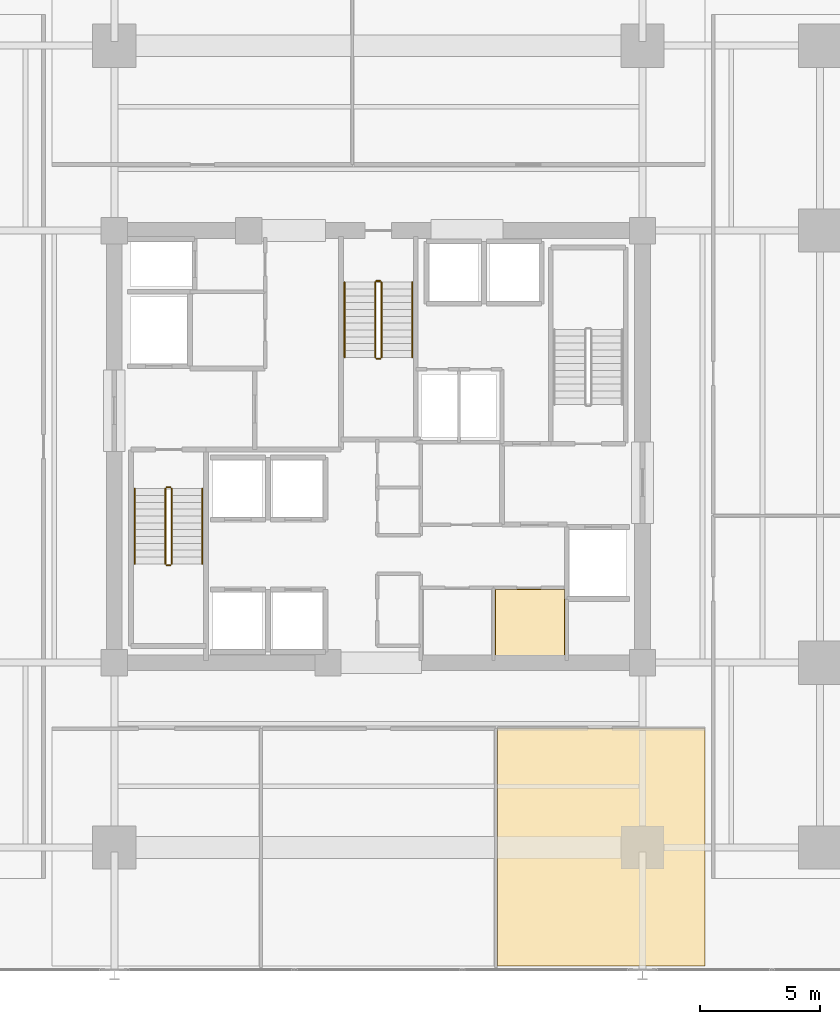
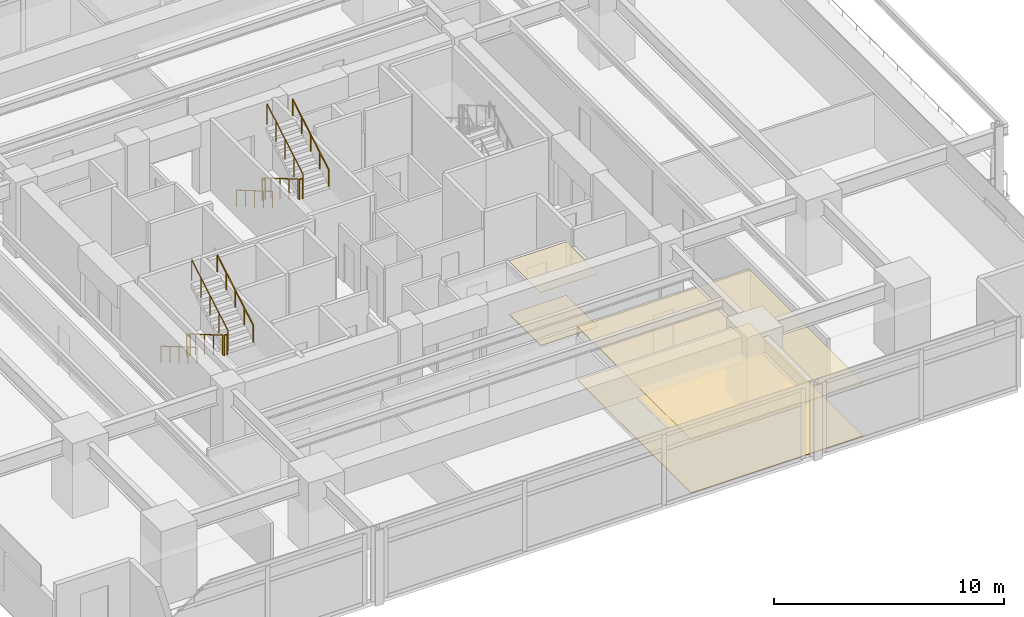
# One storey, part 18 of 20: 12 railings, 4 coverings.
"""IFC4 building model written with IfcOpenShell, lengths in metres."""

from ifc_helpers import new_model, si_unit, direction, frame, origin, origin_2d, place, context, subcontext, project, spatial, polyline, circle, outline, extrude, material, layer, layer_set, type_object, element, save


model = new_model("IFC4")

# Units and contexts
model_context = context("Model", 3, precision=1e-05, world=origin(), true_north=direction((0.0, 1.0)))
body_context = subcontext(model_context, "Body", "Model", "MODEL_VIEW")
ifc_project = project(units=[si_unit("LENGTHUNIT", "METRE"), si_unit("AREAUNIT", "SQUARE_METRE"), si_unit("VOLUMEUNIT", "CUBIC_METRE"), si_unit("PLANEANGLEUNIT", "RADIAN"), si_unit("MASSUNIT", "GRAM", prefix="KILO")], contexts=[model_context])

# Site, building, storey
site_placement = place(None, origin())
site = spatial("IfcSite", under=ifc_project, at=site_placement, CompositionType="ELEMENT")
building_placement = place(site_placement, origin())
building = spatial("IfcBuilding", under=site, at=building_placement, Name="Kovane Verandah Tower", CompositionType="ELEMENT")
storey_placement = place(building_placement, frame((0.0, 0.0, 35.60009765625)))
storey = spatial("IfcBuildingStorey", under=building, at=storey_placement, Name="L07", CompositionType="ELEMENT", Elevation=35.60009765625)

# Coverings
ifc_material_1 = material(Name="Perforated Acoustic Mineral-Fibre Ceiling Tile", Category="gypsum")
ifc_layer_1 = layer(ifc_material_1, 0.02490234375)
ifc_layer_set_1 = layer_set([ifc_layer_1], Name="Perforated Acoustic Mineral-Fibre Ceiling Tile")
covering_type_1 = type_object("IfcCoveringType", Name="CV-CEIL-25", PredefinedType="CEILING", material=ifc_layer_set_1)
covering_1_placement = place(storey_placement, frame((0.0, 0.0, 2.824951171875)))
element("IfcCovering", 1, at=covering_1_placement, inside=storey, type_object=covering_type_1, Name="L07 East IT Server Room Acoustic Ceiling", PredefinedType="CEILING", context=body_context, shape_type="SweptSolid", body=[
    extrude(outline(polyline([(44.864990234375, 18.784912109375), (47.764892578125, 18.784912109375), (47.764892578125, 21.56494140625), (44.864990234375, 21.56494140625), (44.864990234375, 18.784912109375)])), origin(), (0.0, 0.0, 1.0), 0.02490234375),
])
covering_2_placement = place(storey_placement, frame((0.0, 0.0, 2.824951171875)))
element("IfcCovering", 2, at=covering_2_placement, inside=storey, type_object=covering_type_1, Name="L07 Focus Studio S3 Acoustic Ceiling", PredefinedType="CEILING", context=body_context, shape_type="SweptSolid", body=[
    extrude(outline(polyline([(44.966064453125, 5.860595703125), (53.60009765625, 5.860595703125), (53.60009765625, 15.75), (44.966064453125, 15.75), (44.966064453125, 5.860595703125)])), origin(), (0.0, 0.0, 1.0), 0.02490234375),
])
ifc_material_2 = material(Name="Polished Terrazzo and Raised-Access Carpet Tile Finish", Category="concrete")
ifc_layer_2 = layer(ifc_material_2, 0.030029296875)
ifc_layer_set_2 = layer_set([ifc_layer_2], Name="Polished Terrazzo and Raised-Access Carpet Tile Finish")
covering_type_2 = type_object("IfcCoveringType", Name="CV-FLOR-30", PredefinedType="FLOORING", material=ifc_layer_set_2)
covering_3_placement = place(storey_placement, origin())
element("IfcCovering", 3, at=covering_3_placement, inside=storey, type_object=covering_type_2, Name="L07 East IT Server Room Floor Finish", PredefinedType="FLOORING", context=body_context, shape_type="SweptSolid", body=[
    extrude(outline(polyline([(44.8798828125, 18.800048828125), (47.75, 18.800048828125), (47.75, 21.550048828125), (44.8798828125, 21.550048828125), (44.8798828125, 18.800048828125)])), origin(), (0.0, 0.0, 1.0), 0.02978515625),
])
covering_4_placement = place(storey_placement, origin())
element("IfcCovering", 4, at=covering_4_placement, inside=storey, type_object=covering_type_2, Name="L07 Focus Studio S3 Floor Finish", PredefinedType="FLOORING", context=body_context, shape_type="SweptSolid", body=[
    extrude(outline(polyline([(44.966064453125, 5.860595703125), (53.60009765625, 5.860595703125), (53.60009765625, 15.75), (44.966064453125, 15.75), (44.966064453125, 5.860595703125)])), origin(), (0.0, 0.0, 1.0), 0.02978515625),
])

# Railings
ifc_material_3 = material(Name="Brushed Stainless Steel Handrail", Category="steel")
railing_type_1 = type_object("IfcRailingType", Name="RL-HAND-920", PredefinedType="HANDRAIL", material=ifc_material_3)
railing_1_placement = place(storey_placement, frame((29.85009765625, 25.75, 0.16650390625)))
element("IfcRailing", 5, at=railing_1_placement, inside=storey, type_object=railing_type_1, Name="L07 ST-01 stair handrail 1", PredefinedType="HANDRAIL", context=body_context, shape_type="SweptSolid", body=[
    extrude(circle(Radius=0.02392578125, at=origin_2d()), frame((0.0, 0.0, 0.8759765625), z_axis=(0.0, -0.863210265497, 0.504844567704), x_axis=(1.0, 0.0, 0.0)), (0.0, 0.0, 1.0), 3.6318359375),
    extrude(circle(Radius=0.02099609375, at=origin_2d()), origin(), (0.0, 0.0, 1.0), 0.851806640625),
    extrude(circle(Radius=0.02099609375, at=origin_2d()), frame((0.0, -0.78369140625, 0.45849609375)), (0.0, 0.0, 1.0), 0.851806640625),
    extrude(circle(Radius=0.02099609375, at=origin_2d()), frame((0.0, -1.5673828125, 0.916748046875)), (0.0, 0.0, 1.0), 0.851806640625),
    extrude(circle(Radius=0.02099609375, at=origin_2d()), frame((0.0, -2.351318359375, 1.375)), (0.0, 0.0, 1.0), 0.851806640625),
    extrude(circle(Radius=0.02099609375, at=origin_2d()), frame((0.0, -3.135009765625, 1.83349609375)), (0.0, 0.0, 1.0), 0.851806640625),
])
railing_2_placement = place(storey_placement, frame((32.669921875, 22.614990234375, 2.16650390625)))
element("IfcRailing", 6, at=railing_2_placement, inside=storey, type_object=railing_type_1, Name="L07 ST-01 stair handrail 2", PredefinedType="HANDRAIL", context=body_context, shape_type="SweptSolid", body=[
    extrude(circle(Radius=0.02392578125, at=origin_2d()), frame((0.0, 0.0, 0.8759765625), z_axis=(0.0, 0.863210265497, 0.504844567704), x_axis=(-1.0, 0.0, 0.0)), (0.0, 0.0, 1.0), 3.6318359375),
    extrude(circle(Radius=0.02099609375, at=origin_2d()), origin(), (0.0, 0.0, 1.0), 0.851806640625),
    extrude(circle(Radius=0.02099609375, at=origin_2d()), frame((0.0, 0.78369140625, 0.45849609375)), (0.0, 0.0, 1.0), 0.851806640625),
    extrude(circle(Radius=0.02099609375, at=origin_2d()), frame((0.0, 1.5673828125, 0.916748046875)), (0.0, 0.0, 1.0), 0.851806640625),
    extrude(circle(Radius=0.02099609375, at=origin_2d()), frame((0.0, 2.351318359375, 1.375)), (0.0, 0.0, 1.0), 0.851806640625),
    extrude(circle(Radius=0.02099609375, at=origin_2d()), frame((0.0, 3.135009765625, 1.83349609375)), (0.0, 0.0, 1.0), 0.851806640625),
])
railing_3_placement = place(storey_placement, frame((38.590087890625, 34.35009765625, 0.16650390625)))
element("IfcRailing", 7, at=railing_3_placement, inside=storey, type_object=railing_type_1, Name="L07 ST-03 stair handrail 1", PredefinedType="HANDRAIL", context=body_context, shape_type="SweptSolid", body=[
    extrude(circle(Radius=0.02392578125, at=origin_2d()), frame((0.0, 0.0, 0.8759765625), z_axis=(0.0, -0.863210265497, 0.504844567704), x_axis=(1.0, 0.0, 0.0)), (0.0, 0.0, 1.0), 3.6318359375),
    extrude(circle(Radius=0.02099609375, at=origin_2d()), origin(), (0.0, 0.0, 1.0), 0.851806640625),
    extrude(circle(Radius=0.02099609375, at=origin_2d()), frame((0.0, -0.78369140625, 0.45849609375)), (0.0, 0.0, 1.0), 0.851806640625),
    extrude(circle(Radius=0.02099609375, at=origin_2d()), frame((0.0, -1.5673828125, 0.916748046875)), (0.0, 0.0, 1.0), 0.851806640625),
    extrude(circle(Radius=0.02099609375, at=origin_2d()), frame((0.0, -2.351318359375, 1.375)), (0.0, 0.0, 1.0), 0.851806640625),
    extrude(circle(Radius=0.02099609375, at=origin_2d()), frame((0.0, -3.135009765625, 1.83349609375)), (0.0, 0.0, 1.0), 0.851806640625),
])
railing_4_placement = place(storey_placement, frame((41.409912109375, 31.215087890625, 2.16650390625)))
element("IfcRailing", 8, at=railing_4_placement, inside=storey, type_object=railing_type_1, Name="L07 ST-03 stair handrail 2", PredefinedType="HANDRAIL", context=body_context, shape_type="SweptSolid", body=[
    extrude(circle(Radius=0.02392578125, at=origin_2d()), frame((0.0, 0.0, 0.8759765625), z_axis=(0.0, 0.863210265497, 0.504844567704), x_axis=(-1.0, 0.0, 0.0)), (0.0, 0.0, 1.0), 3.6318359375),
    extrude(circle(Radius=0.02099609375, at=origin_2d()), origin(), (0.0, 0.0, 1.0), 0.851806640625),
    extrude(circle(Radius=0.02099609375, at=origin_2d()), frame((0.0, 0.78369140625, 0.45849609375)), (0.0, 0.0, 1.0), 0.851806640625),
    extrude(circle(Radius=0.02099609375, at=origin_2d()), frame((0.0, 1.5673828125, 0.916748046875)), (0.0, 0.0, 1.0), 0.851806640625),
    extrude(circle(Radius=0.02099609375, at=origin_2d()), frame((0.0, 2.351318359375, 1.375)), (0.0, 0.0, 1.0), 0.851806640625),
    extrude(circle(Radius=0.02099609375, at=origin_2d()), frame((0.0, 3.135009765625, 1.83349609375)), (0.0, 0.0, 1.0), 0.851806640625),
])
ifc_material_4 = material(Name="Painted Steel Stairwell Guardrail", Category="steel")
railing_type_2 = type_object("IfcRailingType", Name="RL-STGUARD-1120", PredefinedType="GUARDRAIL", material=ifc_material_4)
railing_5_placement = place(storey_placement, frame((31.1298828125, 25.75, 0.16650390625)))
element("IfcRailing", 9, at=railing_5_placement, inside=storey, type_object=railing_type_2, Name="L07 ST-01 stair guard 1", PredefinedType="GUARDRAIL", context=body_context, shape_type="SweptSolid", body=[
    extrude(circle(Radius=0.02392578125, at=origin_2d()), frame((0.0, 0.0, 1.076171875), z_axis=(0.0, -0.863210265497, 0.504844567704), x_axis=(1.0, 0.0, 0.0)), (0.0, 0.0, 1.0), 3.6318359375),
    extrude(circle(Radius=0.02099609375, at=origin_2d()), origin(), (0.0, 0.0, 1.0), 1.052001953125),
    extrude(circle(Radius=0.02099609375, at=origin_2d()), frame((0.0, -0.78369140625, 0.45849609375)), (0.0, 0.0, 1.0), 1.052001953125),
    extrude(circle(Radius=0.02099609375, at=origin_2d()), frame((0.0, -1.5673828125, 0.916748046875)), (0.0, 0.0, 1.0), 1.052001953125),
    extrude(circle(Radius=0.02099609375, at=origin_2d()), frame((0.0, -2.351318359375, 1.375)), (0.0, 0.0, 1.0), 1.052001953125),
    extrude(circle(Radius=0.02099609375, at=origin_2d()), frame((0.0, -3.135009765625, 1.83349609375)), (0.0, 0.0, 1.0), 1.052001953125),
])
railing_6_placement = place(storey_placement, frame((31.179931640625, 22.56494140625, 2.0)))
element("IfcRailing", 10, at=railing_6_placement, inside=storey, type_object=railing_type_2, Name="L07 ST-01 stair guard 2", PredefinedType="GUARDRAIL", context=body_context, shape_type="SweptSolid", body=[
    extrude(circle(Radius=0.02392578125, at=origin_2d()), frame((0.0, 0.0, 1.076171875), z_axis=(1.0, 0.0, 0.0), x_axis=(0.0, 1.0, 0.0)), (0.0, 0.0, 1.0), 0.16015625),
    extrude(circle(Radius=0.02099609375, at=origin_2d()), origin(), (0.0, 0.0, 1.0), 1.052001953125),
    extrude(circle(Radius=0.02099609375, at=origin_2d()), frame((0.16015625, 0.0, 0.0)), (0.0, 0.0, 1.0), 1.052001953125),
])
railing_7_placement = place(storey_placement, frame((31.389892578125, 22.614990234375, 2.16650390625)))
element("IfcRailing", 11, at=railing_7_placement, inside=storey, type_object=railing_type_2, Name="L07 ST-01 stair guard 3", PredefinedType="GUARDRAIL", context=body_context, shape_type="SweptSolid", body=[
    extrude(circle(Radius=0.02392578125, at=origin_2d()), frame((0.0, 0.0, 1.076171875), z_axis=(0.0, 0.863210265497, 0.504844567704), x_axis=(-1.0, 0.0, 0.0)), (0.0, 0.0, 1.0), 3.6318359375),
    extrude(circle(Radius=0.02099609375, at=origin_2d()), origin(), (0.0, 0.0, 1.0), 1.052001953125),
    extrude(circle(Radius=0.02099609375, at=origin_2d()), frame((0.0, 0.78369140625, 0.45849609375)), (0.0, 0.0, 1.0), 1.052001953125),
    extrude(circle(Radius=0.02099609375, at=origin_2d()), frame((0.0, 1.5673828125, 0.916748046875)), (0.0, 0.0, 1.0), 1.052001953125),
    extrude(circle(Radius=0.02099609375, at=origin_2d()), frame((0.0, 2.351318359375, 1.375)), (0.0, 0.0, 1.0), 1.052001953125),
    extrude(circle(Radius=0.02099609375, at=origin_2d()), frame((0.0, 3.135009765625, 1.83349609375)), (0.0, 0.0, 1.0), 1.052001953125),
])
railing_8_placement = place(storey_placement, frame((31.179931640625, 25.800048828125, 0.0)))
element("IfcRailing", 12, at=railing_8_placement, inside=storey, type_object=railing_type_2, Name="L07 ST-01 stair guard 4", PredefinedType="GUARDRAIL", context=body_context, shape_type="SweptSolid", body=[
    extrude(circle(Radius=0.02392578125, at=origin_2d()), frame((0.0, 0.0, 1.076171875), z_axis=(1.0, 0.0, 0.0), x_axis=(0.0, 1.0, 0.0)), (0.0, 0.0, 1.0), 0.16015625),
    extrude(circle(Radius=0.02099609375, at=origin_2d()), origin(), (0.0, 0.0, 1.0), 1.052001953125),
    extrude(circle(Radius=0.02099609375, at=origin_2d()), frame((0.16015625, 0.0, 0.0)), (0.0, 0.0, 1.0), 1.052001953125),
])
railing_9_placement = place(storey_placement, frame((39.8701171875, 34.35009765625, 0.16650390625)))
element("IfcRailing", 13, at=railing_9_placement, inside=storey, type_object=railing_type_2, Name="L07 ST-03 stair guard 1", PredefinedType="GUARDRAIL", context=body_context, shape_type="SweptSolid", body=[
    extrude(circle(Radius=0.02392578125, at=origin_2d()), frame((0.0, 0.0, 1.076171875), z_axis=(0.0, -0.863210265497, 0.504844567704), x_axis=(1.0, 0.0, 0.0)), (0.0, 0.0, 1.0), 3.6318359375),
    extrude(circle(Radius=0.02099609375, at=origin_2d()), origin(), (0.0, 0.0, 1.0), 1.052001953125),
    extrude(circle(Radius=0.02099609375, at=origin_2d()), frame((0.0, -0.78369140625, 0.45849609375)), (0.0, 0.0, 1.0), 1.052001953125),
    extrude(circle(Radius=0.02099609375, at=origin_2d()), frame((0.0, -1.5673828125, 0.916748046875)), (0.0, 0.0, 1.0), 1.052001953125),
    extrude(circle(Radius=0.02099609375, at=origin_2d()), frame((0.0, -2.351318359375, 1.375)), (0.0, 0.0, 1.0), 1.052001953125),
    extrude(circle(Radius=0.02099609375, at=origin_2d()), frame((0.0, -3.135009765625, 1.83349609375)), (0.0, 0.0, 1.0), 1.052001953125),
])
railing_10_placement = place(storey_placement, frame((39.919921875, 31.1650390625, 2.0)))
element("IfcRailing", 14, at=railing_10_placement, inside=storey, type_object=railing_type_2, Name="L07 ST-03 stair guard 2", PredefinedType="GUARDRAIL", context=body_context, shape_type="SweptSolid", body=[
    extrude(circle(Radius=0.02392578125, at=origin_2d()), frame((0.0, 0.0, 1.076171875), z_axis=(1.0, 0.0, 0.0), x_axis=(0.0, 1.0, 0.0)), (0.0, 0.0, 1.0), 0.16015625),
    extrude(circle(Radius=0.02099609375, at=origin_2d()), origin(), (0.0, 0.0, 1.0), 1.052001953125),
    extrude(circle(Radius=0.02099609375, at=origin_2d()), frame((0.16015625, 0.0, 0.0)), (0.0, 0.0, 1.0), 1.052001953125),
])
railing_11_placement = place(storey_placement, frame((40.1298828125, 31.215087890625, 2.16650390625)))
element("IfcRailing", 15, at=railing_11_placement, inside=storey, type_object=railing_type_2, Name="L07 ST-03 stair guard 3", PredefinedType="GUARDRAIL", context=body_context, shape_type="SweptSolid", body=[
    extrude(circle(Radius=0.02392578125, at=origin_2d()), frame((0.0, 0.0, 1.076171875), z_axis=(0.0, 0.863210265497, 0.504844567704), x_axis=(-1.0, 0.0, 0.0)), (0.0, 0.0, 1.0), 3.6318359375),
    extrude(circle(Radius=0.02099609375, at=origin_2d()), origin(), (0.0, 0.0, 1.0), 1.052001953125),
    extrude(circle(Radius=0.02099609375, at=origin_2d()), frame((0.0, 0.78369140625, 0.45849609375)), (0.0, 0.0, 1.0), 1.052001953125),
    extrude(circle(Radius=0.02099609375, at=origin_2d()), frame((0.0, 1.5673828125, 0.916748046875)), (0.0, 0.0, 1.0), 1.052001953125),
    extrude(circle(Radius=0.02099609375, at=origin_2d()), frame((0.0, 2.351318359375, 1.375)), (0.0, 0.0, 1.0), 1.052001953125),
    extrude(circle(Radius=0.02099609375, at=origin_2d()), frame((0.0, 3.135009765625, 1.83349609375)), (0.0, 0.0, 1.0), 1.052001953125),
])
railing_12_placement = place(storey_placement, frame((39.919921875, 34.39990234375, 0.0)))
element("IfcRailing", 16, at=railing_12_placement, inside=storey, type_object=railing_type_2, Name="L07 ST-03 stair guard 4", PredefinedType="GUARDRAIL", context=body_context, shape_type="SweptSolid", body=[
    extrude(circle(Radius=0.02392578125, at=origin_2d()), frame((0.0, 0.0, 1.076171875), z_axis=(1.0, 0.0, 0.0), x_axis=(0.0, 1.0, 0.0)), (0.0, 0.0, 1.0), 0.16015625),
    extrude(circle(Radius=0.02099609375, at=origin_2d()), origin(), (0.0, 0.0, 1.0), 1.052001953125),
    extrude(circle(Radius=0.02099609375, at=origin_2d()), frame((0.16015625, 0.0, 0.0)), (0.0, 0.0, 1.0), 1.052001953125),
])

save(model, "model.ifc")
